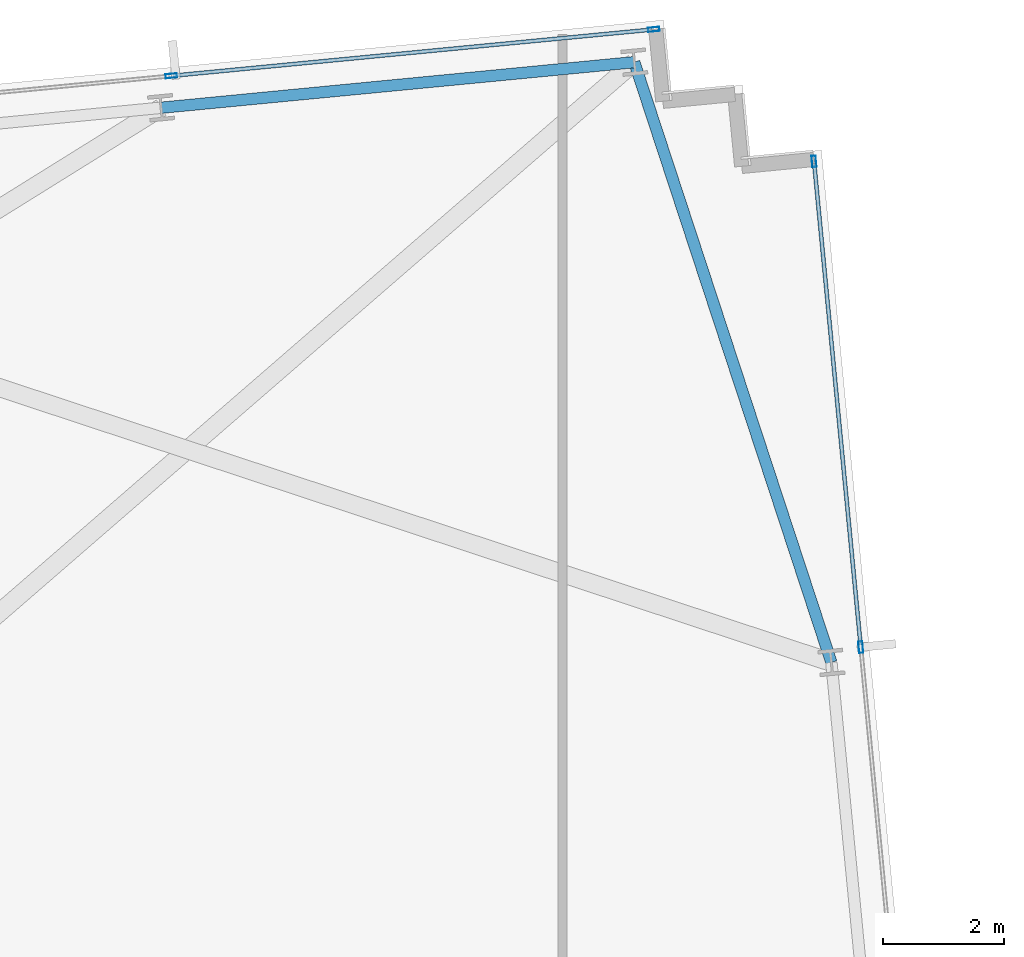
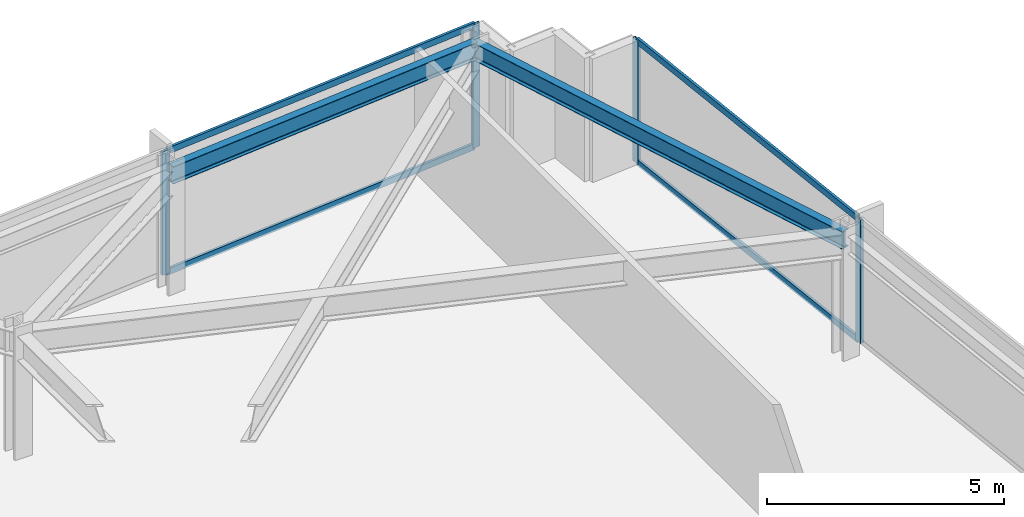
# One storey, part 23 of 32: 8 members, 2 beams, 2 elements without a shape of their own.
"""IFC4 building model written with IfcOpenShell, lengths in metres."""

from ifc_helpers import new_model, si_unit, direction, frame, origin, origin_2d, place, context, subcontext, project, spatial, hollow_rectangle, i_section, extrude, material, material_profile, profile_set, type_object, element, aggregate, save


model = new_model("IFC4")

# Units and contexts
model_context = context("Model", 3, precision=1e-05, world=origin(), true_north=direction((0.0, 1.0)))
body_context = subcontext(model_context, "Body", "Model", "MODEL_VIEW")
ifc_project = project(units=[si_unit("LENGTHUNIT", "METRE"), si_unit("AREAUNIT", "SQUARE_METRE"), si_unit("VOLUMEUNIT", "CUBIC_METRE"), si_unit("PLANEANGLEUNIT", "RADIAN"), si_unit("MASSUNIT", "GRAM", prefix="KILO")], contexts=[model_context])

# Site, building, storey
site_placement = place(None, origin())
site = spatial("IfcSite", under=ifc_project, at=site_placement, CompositionType="ELEMENT")
building_placement = place(site_placement, origin())
building = spatial("IfcBuilding", under=site, at=building_placement, Name="Yelkora Congress Tower", CompositionType="ELEMENT")
storey_placement = place(building_placement, frame((0.0, 0.0, 96.5)))
storey = spatial("IfcBuildingStorey", under=building, at=storey_placement, Name="L25", CompositionType="ELEMENT", Elevation=96.5)

# Beams
ifc_material_1 = material(Name="Steel S355J2", Category="steel")
ifc_material_profile_1 = material_profile(ifc_material_1, i_section(OverallWidth=0.18994140625, OverallDepth=0.449951171875, WebThickness=0.009521484375, FlangeThickness=0.0146484375, FilletRadius=0.02099609375, at=origin_2d()), Name="IPE 450")
ifc_profile_set_1 = profile_set([ifc_material_profile_1], Name="Steel S355J2")
beam_type = type_object("IfcBeamType", Name="BM-SPAN-IPE450", PredefinedType="SPANDREL", material=ifc_profile_set_1)
beam_1_placement = place(storey_placement, frame((74.522216796875, 40.610595703125, 2.955078125), z_axis=(-0.311961656523, 0.950094692575, 0.0), x_axis=(-0.950094692575, -0.311961656523, 0.0)))
element("IfcBeam", 1, at=beam_1_placement, inside=storey, type_object=beam_type, Name="L25 Perimeter Beam 13", PredefinedType="SPANDREL", context=body_context, shape_type="SweptSolid", body=[
    extrude(i_section(OverallWidth=0.18994140625, OverallDepth=0.449951171875, WebThickness=0.009521484375, FlangeThickness=0.0146484375, FilletRadius=0.02099609375, at=origin_2d()), origin(), (0.0, 0.0, 1.0), 10.48046875),
])
beam_2_placement = place(storey_placement, frame((71.252685546875, 50.568115234375, 2.955078125), z_axis=(-0.995392621281, -0.095882894719, 0.0), x_axis=(0.095882894719, -0.995392621281, 0.0)))
element("IfcBeam", 2, at=beam_2_placement, inside=storey, type_object=beam_type, Name="L25 Perimeter Beam 14", PredefinedType="SPANDREL", context=body_context, shape_type="SweptSolid", body=[
    extrude(i_section(OverallWidth=0.18994140625, OverallDepth=0.449951171875, WebThickness=0.009521484375, FlangeThickness=0.0146484375, FilletRadius=0.02099609375, at=origin_2d()), origin(), (0.0, 0.0, 1.0), 7.8857421875),
])

# Curtain wall, members
ifc_material_2 = material(Name="Anodised aluminium and insulated glass", Category="aluminium")
curtain_wall_type = type_object("IfcCurtainWallType", Name="CW-SYS-B2", PredefinedType="NOTDEFINED", material=ifc_material_2)
curtain_wall_1_placement = place(storey_placement, origin())
curtain_wall_1 = element("IfcCurtainWall", 3, at=curtain_wall_1_placement, inside=storey, type_object=curtain_wall_type, Name="L25 Unitised Curtain Wall 10 (3)", PredefinedType="NOTDEFINED")
ifc_material_3 = material(Name="Anodised aluminium 6063-T6", Category="aluminium")
ifc_material_profile_2 = material_profile(ifc_material_3, hollow_rectangle(XDim=0.070068359375, YDim=0.18994140625, WallThickness=0.00390625, at=origin_2d()), Name="ALU 70x190x4")
ifc_profile_set_2 = profile_set([ifc_material_profile_2], Name="Anodised aluminium 6063-T6")
member_type_1 = type_object("IfcMemberType", Name="MEM-ML-B2", PredefinedType="MULLION", material=ifc_profile_set_2)
member_1_placement = place(storey_placement, frame((63.572021484375, 50.3408203125, 0.0), z_axis=(0.0, 0.0, 1.0), x_axis=(-0.095844238468, 0.995396344153, 0.0)))
member_1 = element("IfcMember", 4, at=member_1_placement, type_object=member_type_1, Name="CW-B2 mullion 6", PredefinedType="MULLION", context=body_context, shape_type="SweptSolid", body=[
    extrude(hollow_rectangle(XDim=0.070068359375, YDim=0.18994140625, WallThickness=0.00390625, at=origin_2d()), origin(), (0.0, 0.0, 1.0), 3.179931640625),
])
member_2_placement = place(storey_placement, frame((71.5771484375, 51.111572265625, 0.0), z_axis=(0.0, 0.0, 1.0), x_axis=(-0.095844238468, 0.995396344153, 0.0)))
member_2 = element("IfcMember", 5, at=member_2_placement, type_object=member_type_1, Name="CW-B2 mullion 7", PredefinedType="MULLION", context=body_context, shape_type="SweptSolid", body=[
    extrude(hollow_rectangle(XDim=0.070068359375, YDim=0.18994140625, WallThickness=0.00390625, at=origin_2d()), origin(), (0.0, 0.0, 1.0), 3.179931640625),
])

curtain_wall_2_placement = place(storey_placement, origin())
curtain_wall_2 = element("IfcCurtainWall", 6, at=curtain_wall_2_placement, inside=storey, type_object=curtain_wall_type, Name="L25 Unitised Curtain Wall 15", PredefinedType="NOTDEFINED")
member_3_placement = place(storey_placement, frame((74.234375, 48.921142578125, 0.0), z_axis=(0.0, 0.0, 1.0), x_axis=(0.995396507508, 0.095842541913, 0.0)))
member_3 = element("IfcMember", 7, at=member_3_placement, type_object=member_type_1, Name="CW-B2 mullion 1", PredefinedType="MULLION", context=body_context, shape_type="SweptSolid", body=[
    extrude(hollow_rectangle(XDim=0.070068359375, YDim=0.18994140625, WallThickness=0.00390625, at=origin_2d()), origin(), (0.0, 0.0, 1.0), 3.179931640625),
])
member_4_placement = place(storey_placement, frame((75.010009765625, 40.863525390625, 0.0), z_axis=(0.0, 0.0, 1.0), x_axis=(0.995396507508, 0.095842541913, 0.0)))
member_4 = element("IfcMember", 8, at=member_4_placement, type_object=member_type_1, Name="CW-B2 mullion 2", PredefinedType="MULLION", context=body_context, shape_type="SweptSolid", body=[
    extrude(hollow_rectangle(XDim=0.070068359375, YDim=0.18994140625, WallThickness=0.00390625, at=origin_2d()), origin(), (0.0, 0.0, 1.0), 3.179931640625),
])

# Member
ifc_material_profile_3 = material_profile(ifc_material_3, hollow_rectangle(XDim=0.06494140625, YDim=0.159912109375, WallThickness=0.00390625, at=origin_2d()), Name="ALU 65x160x4")
ifc_profile_set_3 = profile_set([ifc_material_profile_3], Name="Anodised aluminium 6063-T6")
member_type_2 = type_object("IfcMemberType", Name="MEM-TR-B2", PredefinedType="USERDEFINED", material=ifc_profile_set_3)
member_5_placement = place(storey_placement, frame((63.606689453125, 50.343994140625, 0.032470703125), z_axis=(0.995395553311, 0.095852451448, 0.0), x_axis=(-0.095852451448, 0.995395553311, 0.0)))
member_5 = element("IfcMember", 9, at=member_5_placement, type_object=member_type_2, Name="CW-B2 transom 6.1", ObjectType="TRANSOM", PredefinedType="USERDEFINED", context=body_context, shape_type="SweptSolid", body=[
    extrude(hollow_rectangle(XDim=0.06494140625, YDim=0.159912109375, WallThickness=0.00390625, at=origin_2d()), origin(), (0.0, 0.0, 1.0), 7.97216796875),
])

member_6_placement = place(storey_placement, frame((63.606689453125, 50.343994140625, 3.1474609375), z_axis=(0.995395553311, 0.095852451448, 0.0), x_axis=(-0.095852451448, 0.995395553311, 0.0)))
member_6 = element("IfcMember", 10, at=member_6_placement, type_object=member_type_2, Name="CW-B2 transom 6.2", ObjectType="TRANSOM", PredefinedType="USERDEFINED", context=body_context, shape_type="SweptSolid", body=[
    extrude(hollow_rectangle(XDim=0.06494140625, YDim=0.159912109375, WallThickness=0.00390625, at=origin_2d()), origin(), (0.0, 0.0, 1.0), 7.97216796875),
])

aggregate(curtain_wall_1, [member_1, member_2, member_5, member_6])

member_7_placement = place(storey_placement, frame((74.237548828125, 48.88623046875, 0.032470703125), z_axis=(0.095861385662, -0.995394692943, 0.0), x_axis=(0.995394692943, 0.095861385662, 0.0)))
member_7 = element("IfcMember", 11, at=member_7_placement, type_object=member_type_2, Name="CW-B2 transom 1.1", ObjectType="TRANSOM", PredefinedType="USERDEFINED", context=body_context, shape_type="SweptSolid", body=[
    extrude(hollow_rectangle(XDim=0.06494140625, YDim=0.159912109375, WallThickness=0.00390625, at=origin_2d()), origin(), (0.0, 0.0, 1.0), 8.02490234375),
])

member_8_placement = place(storey_placement, frame((74.237548828125, 48.88623046875, 3.1474609375), z_axis=(0.095861385662, -0.995394692943, 0.0), x_axis=(0.995394692943, 0.095861385662, 0.0)))
member_8 = element("IfcMember", 12, at=member_8_placement, type_object=member_type_2, Name="CW-B2 transom 1.2", ObjectType="TRANSOM", PredefinedType="USERDEFINED", context=body_context, shape_type="SweptSolid", body=[
    extrude(hollow_rectangle(XDim=0.06494140625, YDim=0.159912109375, WallThickness=0.00390625, at=origin_2d()), origin(), (0.0, 0.0, 1.0), 8.02490234375),
])

aggregate(curtain_wall_2, [member_3, member_4, member_7, member_8])

save(model, "model.ifc")
